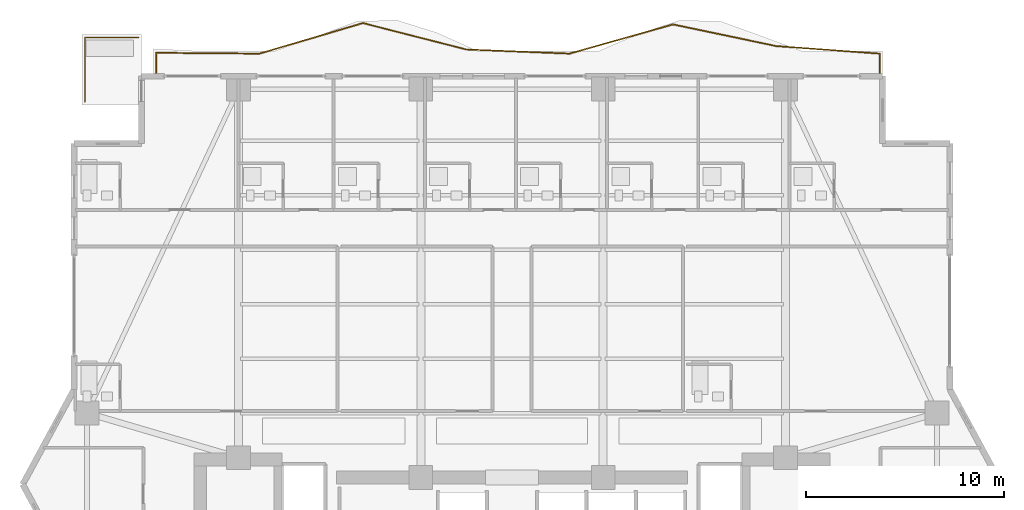
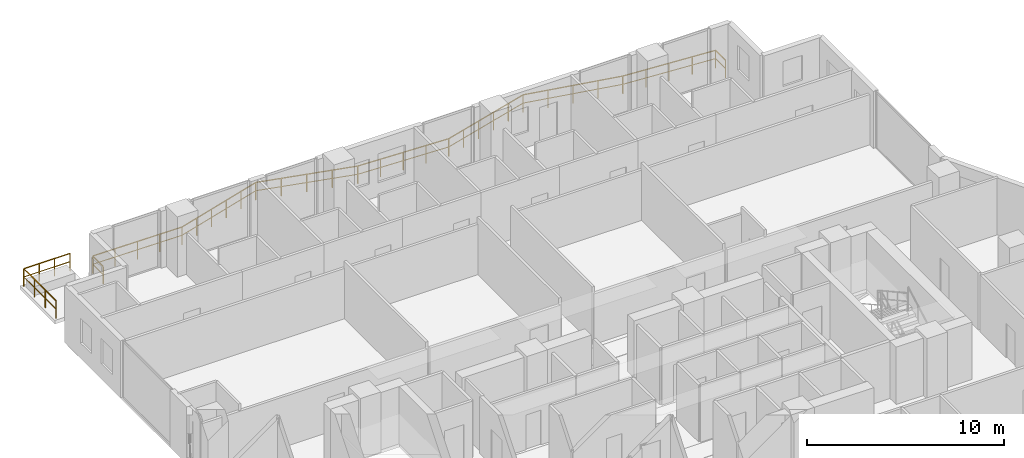
# One storey, part 32 of 33: 2 railings.
"""IFC4 building model written with IfcOpenShell, lengths in metres."""

from ifc_helpers import new_model, si_unit, direction, frame, origin, origin_2d, place, context, subcontext, project, spatial, rectangle, extrude, material, type_object, element, save


model = new_model("IFC4")

# Units and contexts
model_context = context("Model", 3, precision=1e-05, world=origin(), true_north=direction((0.0, 1.0)))
body_context = subcontext(model_context, "Body", "Model", "MODEL_VIEW")
ifc_project = project(units=[si_unit("LENGTHUNIT", "METRE"), si_unit("AREAUNIT", "SQUARE_METRE"), si_unit("VOLUMEUNIT", "CUBIC_METRE"), si_unit("PLANEANGLEUNIT", "RADIAN"), si_unit("MASSUNIT", "GRAM", prefix="KILO")], contexts=[model_context])

# Site, building, storey
site_placement = place(None, origin())
site = spatial("IfcSite", under=ifc_project, at=site_placement, CompositionType="ELEMENT")
building_placement = place(site_placement, origin())
building = spatial("IfcBuilding", under=site, at=building_placement, Name="Zuhayl Quay Hotel", CompositionType="ELEMENT")
storey_placement = place(building_placement, frame((0.0, 0.0, 222.39990234375)))
storey = spatial("IfcBuildingStorey", under=building, at=storey_placement, Name="L56", CompositionType="ELEMENT", Elevation=222.39990234375)

# Railings
ifc_material = material(Name="Anodised Aluminium and Laminated Glass", Category="aluminium")
railing_type = type_object("IfcRailingType", Name="RL_EXT_BAL_1100", PredefinedType="BALUSTRADE", material=ifc_material)
railing_1_placement = place(storey_placement, frame((-17.9599609375, 33.719970703125, 0.0)))
element("IfcRailing", 1, at=railing_1_placement, inside=storey, type_object=railing_type, Name="L56 Balcony and Terrace Guard GR_L56_BAL_N", PredefinedType="BALUSTRADE", context=body_context, shape_type="SweptSolid", body=[
    extrude(rectangle(XDim=0.048095703125, YDim=0.048095703125, at=origin_2d()), frame((0.0, 0.0, 1.09619140625), z_axis=(0.0, 1.0, 0.0), x_axis=(-1.0, 0.0, 0.0)), (0.0, 0.0, 1.0), 1.063232421875),
    extrude(rectangle(XDim=0.0361328125, YDim=0.0361328125, at=origin_2d()), frame((0.0, 0.0, 0.58251953125), z_axis=(0.0, 1.0, 0.0), x_axis=(-1.0, 0.0, 0.0)), (0.0, 0.0, 1.0), 1.063232421875),
    extrude(rectangle(XDim=0.048095703125, YDim=0.048095703125, at=origin_2d()), frame((0.0, 1.063232421875, 1.09619140625), z_axis=(0.999965697498, -0.008282742686, 0.0), x_axis=(0.008282742686, 0.999965697498, 0.0)), (0.0, 0.0, 1.0), 5.21728515625),
    extrude(rectangle(XDim=0.0361328125, YDim=0.0361328125, at=origin_2d()), frame((0.0, 1.063232421875, 0.58251953125), z_axis=(0.999965697498, -0.008282742686, 0.0), x_axis=(0.008282742686, 0.999965697498, 0.0)), (0.0, 0.0, 1.0), 5.21728515625),
    extrude(rectangle(XDim=0.048095703125, YDim=0.048095703125, at=origin_2d()), frame((5.217041015625, 1.02001953125, 1.09619140625), z_axis=(0.958894024303, 0.28376442722, 0.0), x_axis=(-0.28376442722, 0.958894024303, 0.0)), (0.0, 0.0, 1.0), 5.44091796875),
    extrude(rectangle(XDim=0.0361328125, YDim=0.0361328125, at=origin_2d()), frame((5.217041015625, 1.02001953125, 0.58251953125), z_axis=(0.958894024303, 0.28376442722, 0.0), x_axis=(-0.28376442722, 0.958894024303, 0.0)), (0.0, 0.0, 1.0), 5.44091796875),
    extrude(rectangle(XDim=0.048095703125, YDim=0.048095703125, at=origin_2d()), frame((10.434326171875, 2.56396484375, 1.09619140625), z_axis=(0.968873299073, -0.247557125413, 0.0), x_axis=(0.247557125413, 0.968873299073, 0.0)), (0.0, 0.0, 1.0), 5.384765625),
    extrude(rectangle(XDim=0.0361328125, YDim=0.0361328125, at=origin_2d()), frame((10.434326171875, 2.56396484375, 0.58251953125), z_axis=(0.968873299073, -0.247557125413, 0.0), x_axis=(0.247557125413, 0.968873299073, 0.0)), (0.0, 0.0, 1.0), 5.384765625),
    extrude(rectangle(XDim=0.048095703125, YDim=0.048095703125, at=origin_2d()), frame((15.6513671875, 1.23095703125, 1.09619140625), z_axis=(0.999183687566, -0.040397506133, 0.0), x_axis=(0.040397506133, 0.999183687566, 0.0)), (0.0, 0.0, 1.0), 5.221435546875),
    extrude(rectangle(XDim=0.0361328125, YDim=0.0361328125, at=origin_2d()), frame((15.6513671875, 1.23095703125, 0.58251953125), z_axis=(0.999183687566, -0.040397506133, 0.0), x_axis=(0.040397506133, 0.999183687566, 0.0)), (0.0, 0.0, 1.0), 5.221435546875),
    extrude(rectangle(XDim=0.048095703125, YDim=0.048095703125, at=origin_2d()), frame((20.86865234375, 1.02001953125, 1.09619140625), z_axis=(0.962298385627, 0.27199598714, 0.0), x_axis=(-0.27199598714, 0.962298385627, 0.0)), (0.0, 0.0, 1.0), 5.42138671875),
    extrude(rectangle(XDim=0.0361328125, YDim=0.0361328125, at=origin_2d()), frame((20.86865234375, 1.02001953125, 0.58251953125), z_axis=(0.962298385627, 0.27199598714, 0.0), x_axis=(-0.27199598714, 0.962298385627, 0.0)), (0.0, 0.0, 1.0), 5.42138671875),
    extrude(rectangle(XDim=0.048095703125, YDim=0.048095703125, at=origin_2d()), frame((26.085693359375, 2.49462890625, 1.09619140625), z_axis=(0.978751950493, -0.205047846624, 0.0), x_axis=(0.205047846624, 0.978751950493, 0.0)), (0.0, 0.0, 1.0), 5.33056640625),
    extrude(rectangle(XDim=0.0361328125, YDim=0.0361328125, at=origin_2d()), frame((26.085693359375, 2.49462890625, 0.58251953125), z_axis=(0.978751950493, -0.205047846624, 0.0), x_axis=(0.205047846624, 0.978751950493, 0.0)), (0.0, 0.0, 1.0), 5.33056640625),
    extrude(rectangle(XDim=0.048095703125, YDim=0.048095703125, at=origin_2d()), frame((31.302978515625, 1.401611328125, 1.09619140625), z_axis=(0.997335711618, -0.072948463534, 0.0), x_axis=(0.072948463534, 0.997335711618, 0.0)), (0.0, 0.0, 1.0), 5.23095703125),
    extrude(rectangle(XDim=0.0361328125, YDim=0.0361328125, at=origin_2d()), frame((31.302978515625, 1.401611328125, 0.58251953125), z_axis=(0.997335711618, -0.072948463534, 0.0), x_axis=(0.072948463534, 0.997335711618, 0.0)), (0.0, 0.0, 1.0), 5.23095703125),
    extrude(rectangle(XDim=0.048095703125, YDim=0.048095703125, at=origin_2d()), frame((36.52001953125, 1.02001953125, 1.09619140625), z_axis=(0.0, -1.0, 0.0), x_axis=(1.0, 0.0, 0.0)), (0.0, 0.0, 1.0), 1.02001953125),
    extrude(rectangle(XDim=0.0361328125, YDim=0.0361328125, at=origin_2d()), frame((36.52001953125, 1.02001953125, 0.58251953125), z_axis=(0.0, -1.0, 0.0), x_axis=(1.0, 0.0, 0.0)), (0.0, 0.0, 1.0), 1.02001953125),
    extrude(rectangle(XDim=0.0419921875, YDim=0.0419921875, at=origin_2d()), origin(), (0.0, 0.0, 1.0), 1.072021484375),
    extrude(rectangle(XDim=0.0419921875, YDim=0.0419921875, at=origin_2d()), frame((0.0, 1.063232421875, 0.0)), (0.0, 0.0, 1.0), 1.072021484375),
    extrude(rectangle(XDim=0.0419921875, YDim=0.0419921875, at=origin_2d()), frame((1.30419921875, 1.052490234375, 0.0)), (0.0, 0.0, 1.0), 1.072021484375),
    extrude(rectangle(XDim=0.0419921875, YDim=0.0419921875, at=origin_2d()), frame((2.6083984375, 1.04150390625, 0.0)), (0.0, 0.0, 1.0), 1.072021484375),
    extrude(rectangle(XDim=0.0419921875, YDim=0.0419921875, at=origin_2d()), frame((3.912841796875, 1.03076171875, 0.0)), (0.0, 0.0, 1.0), 1.072021484375),
    extrude(rectangle(XDim=0.0419921875, YDim=0.0419921875, at=origin_2d()), frame((5.217041015625, 1.02001953125, 0.0)), (0.0, 0.0, 1.0), 1.072021484375),
    extrude(rectangle(XDim=0.0419921875, YDim=0.0419921875, at=origin_2d()), frame((6.260498046875, 1.328857421875, 0.0)), (0.0, 0.0, 1.0), 1.072021484375),
    extrude(rectangle(XDim=0.0419921875, YDim=0.0419921875, at=origin_2d()), frame((7.303955078125, 1.6376953125, 0.0)), (0.0, 0.0, 1.0), 1.072021484375),
    extrude(rectangle(XDim=0.0419921875, YDim=0.0419921875, at=origin_2d()), frame((8.347412109375, 1.9462890625, 0.0)), (0.0, 0.0, 1.0), 1.072021484375),
    extrude(rectangle(XDim=0.0419921875, YDim=0.0419921875, at=origin_2d()), frame((9.390869140625, 2.255126953125, 0.0)), (0.0, 0.0, 1.0), 1.072021484375),
    extrude(rectangle(XDim=0.0419921875, YDim=0.0419921875, at=origin_2d()), frame((10.434326171875, 2.56396484375, 0.0)), (0.0, 0.0, 1.0), 1.072021484375),
    extrude(rectangle(XDim=0.0419921875, YDim=0.0419921875, at=origin_2d()), frame((11.738525390625, 2.230712890625, 0.0)), (0.0, 0.0, 1.0), 1.072021484375),
    extrude(rectangle(XDim=0.0419921875, YDim=0.0419921875, at=origin_2d()), frame((13.04296875, 1.8974609375, 0.0)), (0.0, 0.0, 1.0), 1.072021484375),
    extrude(rectangle(XDim=0.0419921875, YDim=0.0419921875, at=origin_2d()), frame((14.34716796875, 1.564208984375, 0.0)), (0.0, 0.0, 1.0), 1.072021484375),
    extrude(rectangle(XDim=0.0419921875, YDim=0.0419921875, at=origin_2d()), frame((15.6513671875, 1.23095703125, 0.0)), (0.0, 0.0, 1.0), 1.072021484375),
    extrude(rectangle(XDim=0.0419921875, YDim=0.0419921875, at=origin_2d()), frame((16.95556640625, 1.17822265625, 0.0)), (0.0, 0.0, 1.0), 1.072021484375),
    extrude(rectangle(XDim=0.0419921875, YDim=0.0419921875, at=origin_2d()), frame((18.260009765625, 1.12548828125, 0.0)), (0.0, 0.0, 1.0), 1.072021484375),
    extrude(rectangle(XDim=0.0419921875, YDim=0.0419921875, at=origin_2d()), frame((19.564453125, 1.07275390625, 0.0)), (0.0, 0.0, 1.0), 1.072021484375),
    extrude(rectangle(XDim=0.0419921875, YDim=0.0419921875, at=origin_2d()), frame((20.86865234375, 1.02001953125, 0.0)), (0.0, 0.0, 1.0), 1.072021484375),
    extrude(rectangle(XDim=0.0419921875, YDim=0.0419921875, at=origin_2d()), frame((21.912109375, 1.31494140625, 0.0)), (0.0, 0.0, 1.0), 1.072021484375),
    extrude(rectangle(XDim=0.0419921875, YDim=0.0419921875, at=origin_2d()), frame((22.95556640625, 1.60986328125, 0.0)), (0.0, 0.0, 1.0), 1.072021484375),
    extrude(rectangle(XDim=0.0419921875, YDim=0.0419921875, at=origin_2d()), frame((23.998779296875, 1.90478515625, 0.0)), (0.0, 0.0, 1.0), 1.072021484375),
    extrude(rectangle(XDim=0.0419921875, YDim=0.0419921875, at=origin_2d()), frame((25.042236328125, 2.19970703125, 0.0)), (0.0, 0.0, 1.0), 1.072021484375),
    extrude(rectangle(XDim=0.0419921875, YDim=0.0419921875, at=origin_2d()), frame((26.085693359375, 2.49462890625, 0.0)), (0.0, 0.0, 1.0), 1.072021484375),
    extrude(rectangle(XDim=0.0419921875, YDim=0.0419921875, at=origin_2d()), frame((27.39013671875, 2.221435546875, 0.0)), (0.0, 0.0, 1.0), 1.072021484375),
    extrude(rectangle(XDim=0.0419921875, YDim=0.0419921875, at=origin_2d()), frame((28.6943359375, 1.9482421875, 0.0)), (0.0, 0.0, 1.0), 1.072021484375),
    extrude(rectangle(XDim=0.0419921875, YDim=0.0419921875, at=origin_2d()), frame((29.99853515625, 1.6748046875, 0.0)), (0.0, 0.0, 1.0), 1.072021484375),
    extrude(rectangle(XDim=0.0419921875, YDim=0.0419921875, at=origin_2d()), frame((31.302978515625, 1.401611328125, 0.0)), (0.0, 0.0, 1.0), 1.072021484375),
    extrude(rectangle(XDim=0.0419921875, YDim=0.0419921875, at=origin_2d()), frame((32.607177734375, 1.30615234375, 0.0)), (0.0, 0.0, 1.0), 1.072021484375),
    extrude(rectangle(XDim=0.0419921875, YDim=0.0419921875, at=origin_2d()), frame((33.91162109375, 1.2109375, 0.0)), (0.0, 0.0, 1.0), 1.072021484375),
    extrude(rectangle(XDim=0.0419921875, YDim=0.0419921875, at=origin_2d()), frame((35.2158203125, 1.115478515625, 0.0)), (0.0, 0.0, 1.0), 1.072021484375),
    extrude(rectangle(XDim=0.0419921875, YDim=0.0419921875, at=origin_2d()), frame((36.52001953125, 1.02001953125, 0.0)), (0.0, 0.0, 1.0), 1.072021484375),
    extrude(rectangle(XDim=0.0419921875, YDim=0.0419921875, at=origin_2d()), frame((36.52001953125, 0.0, 0.0)), (0.0, 0.0, 1.0), 1.072021484375),
])
railing_2_placement = place(storey_placement, frame((-18.840087890625, 35.56005859375, 0.0)))
element("IfcRailing", 2, at=railing_2_placement, inside=storey, type_object=railing_type, Name="L56 Balcony and Terrace Guard GR_L56_SPIRAL_NW", PredefinedType="BALUSTRADE", context=body_context, shape_type="SweptSolid", body=[
    extrude(rectangle(XDim=0.048095703125, YDim=0.048095703125, at=origin_2d()), frame((0.0, 0.0, 1.09619140625), z_axis=(-1.0, 0.0, 0.0), x_axis=(0.0, -1.0, 0.0)), (0.0, 0.0, 1.0), 2.719970703125),
    extrude(rectangle(XDim=0.0361328125, YDim=0.0361328125, at=origin_2d()), frame((0.0, 0.0, 0.58251953125), z_axis=(-1.0, 0.0, 0.0), x_axis=(0.0, -1.0, 0.0)), (0.0, 0.0, 1.0), 2.719970703125),
    extrude(rectangle(XDim=0.048095703125, YDim=0.048095703125, at=origin_2d()), frame((-2.719970703125, 0.0, 1.09619140625), z_axis=(0.0, -1.0, 0.0), x_axis=(1.0, 0.0, 0.0)), (0.0, 0.0, 1.0), 3.27001953125),
    extrude(rectangle(XDim=0.0361328125, YDim=0.0361328125, at=origin_2d()), frame((-2.719970703125, 0.0, 0.58251953125), z_axis=(0.0, -1.0, 0.0), x_axis=(1.0, 0.0, 0.0)), (0.0, 0.0, 1.0), 3.27001953125),
    extrude(rectangle(XDim=0.0419921875, YDim=0.0419921875, at=origin_2d()), origin(), (0.0, 0.0, 1.0), 1.072021484375),
    extrude(rectangle(XDim=0.0419921875, YDim=0.0419921875, at=origin_2d()), frame((-0.90673828125, 0.0, 0.0)), (0.0, 0.0, 1.0), 1.072021484375),
    extrude(rectangle(XDim=0.0419921875, YDim=0.0419921875, at=origin_2d()), frame((-1.813232421875, 0.0, 0.0)), (0.0, 0.0, 1.0), 1.072021484375),
    extrude(rectangle(XDim=0.0419921875, YDim=0.0419921875, at=origin_2d()), frame((-2.719970703125, 0.0, 0.0)), (0.0, 0.0, 1.0), 1.072021484375),
    extrude(rectangle(XDim=0.0419921875, YDim=0.0419921875, at=origin_2d()), frame((-2.719970703125, -1.090087890625, 0.0)), (0.0, 0.0, 1.0), 1.072021484375),
    extrude(rectangle(XDim=0.0419921875, YDim=0.0419921875, at=origin_2d()), frame((-2.719970703125, -2.179931640625, 0.0)), (0.0, 0.0, 1.0), 1.072021484375),
    extrude(rectangle(XDim=0.0419921875, YDim=0.0419921875, at=origin_2d()), frame((-2.719970703125, -3.27001953125, 0.0)), (0.0, 0.0, 1.0), 1.072021484375),
])

save(model, "model.ifc")
